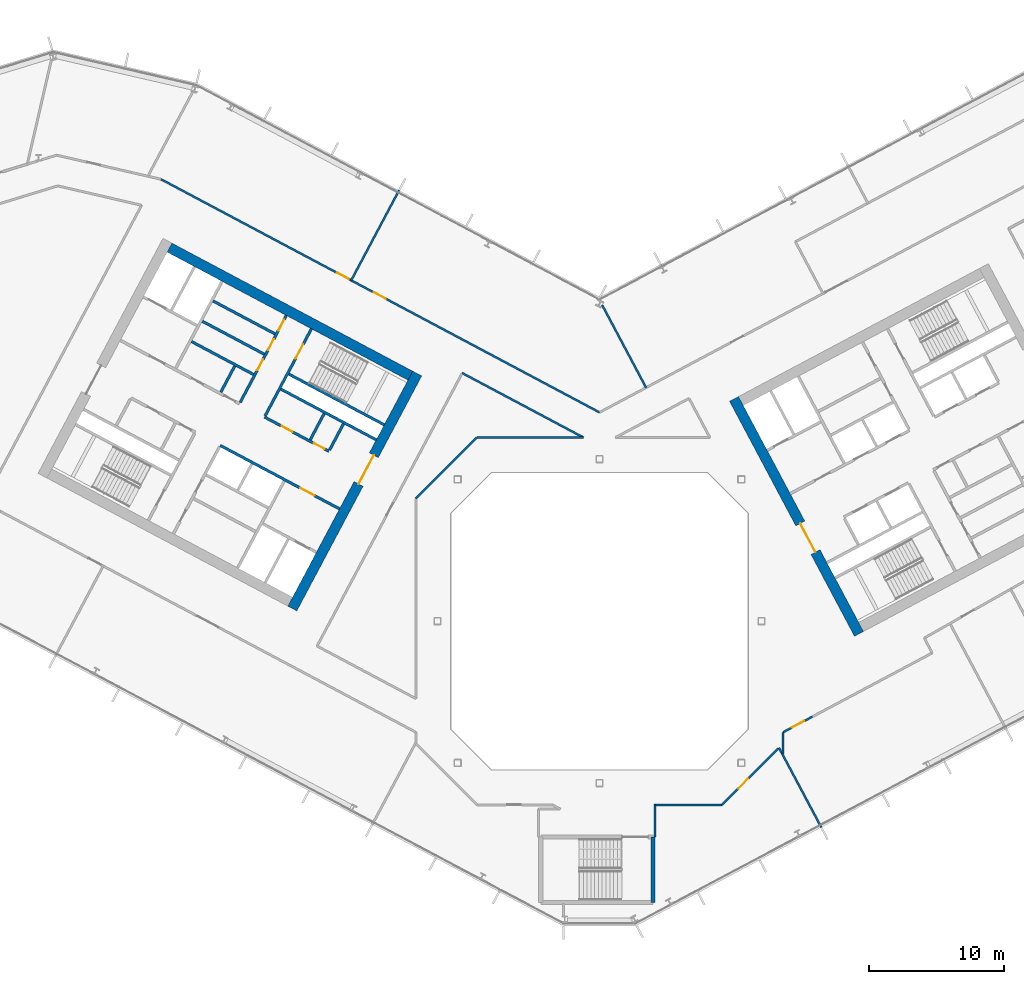
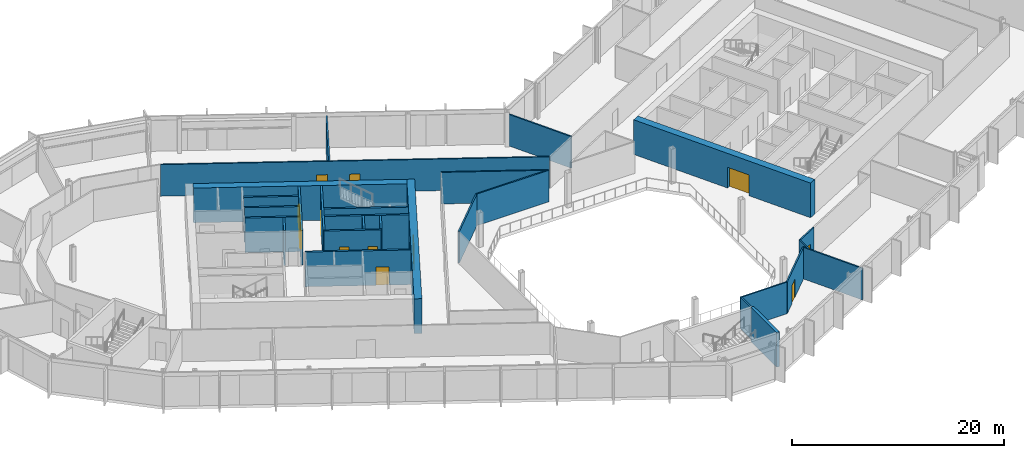
# One storey, part 15 of 28: 28 walls, 13 doors, 13 openings.
"""IFC4 building model written with IfcOpenShell, lengths in metres."""

from ifc_helpers import new_model, si_unit, direction, frame, frame_2d, origin, place, context, subcontext, project, spatial, rectangle, extrude, material, layer, layer_set, type_object, element, fill, save


model = new_model("IFC4")

# Units and contexts
model_context = context("Model", 3, precision=1e-05, world=origin(), true_north=direction((0.0, 1.0)))
body_context = subcontext(model_context, "Body", "Model", "MODEL_VIEW")
ifc_project = project(units=[si_unit("LENGTHUNIT", "METRE"), si_unit("AREAUNIT", "SQUARE_METRE"), si_unit("VOLUMEUNIT", "CUBIC_METRE"), si_unit("PLANEANGLEUNIT", "RADIAN"), si_unit("MASSUNIT", "GRAM", prefix="KILO")], contexts=[model_context])

# Site, building, storey
site_placement = place(None, origin())
site = spatial("IfcSite", under=ifc_project, at=site_placement, CompositionType="ELEMENT")
building_placement = place(site_placement, origin())
building = spatial("IfcBuilding", under=site, at=building_placement, Name="Cormorant Relay Tower", CompositionType="ELEMENT")
storey_placement = place(building_placement, frame((0.0, 0.0, 146.199951171875)))
storey = spatial("IfcBuildingStorey", under=building, at=storey_placement, Name="L30", CompositionType="ELEMENT", Elevation=146.199951171875)

# Walls
ifc_material_1 = material(Name="Concrete 40 MPa", Category="concrete")
ifc_layer_1 = layer(ifc_material_1, 0.199951171875)
ifc_layer_set_1 = layer_set([ifc_layer_1], Name="Core internal wall 200")
wall_type_1 = type_object("IfcWallType", Name="Core internal wall 200", PredefinedType="SOLIDWALL", material=ifc_layer_set_1)
for number, where, z_axis, x_axis, name in (
    (1, (-20.39013671875, 15.371826171875, 0.0), (0.0, 0.0, 1.0), (-0.4694473164, -0.882960484464, 0.0), "L30 core A shaft and room wall"),
    (2, (-27.01220703125, 18.892822265625, 0.0), (0.0, 0.0, 1.0), (-0.4694473164, -0.882960484464, 0.0), "L30 core A shaft and room wall"),
):
    element("IfcWall", number, at=place(storey_placement, frame(where, z_axis=z_axis, x_axis=x_axis)), inside=storey, type_object=wall_type_1, Name=name, PredefinedType="SOLIDWALL", context=body_context, shape_type="SweptSolid", body=[
        extrude(rectangle(XDim=2.199951171875, YDim=0.199951171875, at=frame_2d((1.10009765625, 0.0))), origin(), (0.0, 0.0, 1.0), 4.0),
    ])
for number, where, z_axis, x_axis, name in (
    (3, (-24.02685546875, 21.26953125, 0.0), (0.0, 0.0, 1.0), (-0.882934506056, 0.469496174655, 0.0), "L30 core A shaft and room wall"),
    (4, (-24.824951171875, 19.7685546875, 0.0), (0.0, 0.0, 1.0), (-0.882934506056, 0.469496174655, 0.0), "L30 core A shaft and room wall"),
):
    element("IfcWall", number, at=place(storey_placement, frame(where, z_axis=z_axis, x_axis=x_axis)), inside=storey, type_object=wall_type_1, Name=name, PredefinedType="SOLIDWALL", context=body_context, shape_type="SweptSolid", body=[
        extrude(rectangle(XDim=5.199951171875, YDim=0.199951171875, at=frame_2d((2.60009765625, 0.0))), origin(), (0.0, 0.0, 1.0), 4.0),
    ])
ifc_material_2 = material(Name="Concrete 50 MPa", Category="concrete")
ifc_layer_2 = layer(ifc_material_2, 0.199951171875)
ifc_layer_set_2 = layer_set([ifc_layer_2], Name="Core shaft wall 200")
wall_type_2 = type_object("IfcWallType", Name="Core shaft wall 200", PredefinedType="SHEAR", material=ifc_layer_set_2)
wall_1_placement = place(storey_placement, frame((-18.959716796875, 14.611328125, 0.0), z_axis=(0.0, 0.0, 1.0), x_axis=(-0.4694473164, -0.882960484464, 0.0)))
element("IfcWall", 5, at=wall_1_placement, inside=storey, type_object=wall_type_2, Name="L30 core A shaft wall", PredefinedType="SHEAR", context=body_context, shape_type="SweptSolid", body=[
    extrude(rectangle(XDim=2.199951171875, YDim=0.199951171875, at=frame_2d((1.10009765625, 0.0))), origin(), (0.0, 0.0, 1.0), 4.0),
])

# Wall, opening, door
wall_2_placement = place(storey_placement, frame((-21.333251953125, 21.6494140625, 0.0), z_axis=(0.0, 0.0, 1.0), x_axis=(-0.469494272526, -0.882935517501, 0.0)))
wall_2 = element("IfcWall", 6, at=wall_2_placement, inside=storey, type_object=wall_type_2, Name="L30 core A shaft wall", PredefinedType="SHEAR", context=body_context, shape_type="SweptSolid", body=[
    extrude(rectangle(XDim=7.2998046875, YDim=0.199951171875, at=frame_2d((3.64990234375, 0.0))), origin(), (0.0, 0.0, 1.0), 4.0),
])
opening_1_placement = place(wall_2_placement, frame((1.300048828125, 0.0, 0.0)))
opening_1 = element("IfcOpeningElement", 7, at=opening_1_placement, cuts=wall_2, Name="Opening CDB-034", PredefinedType="OPENING", context=body_context, shape_type="SweptSolid", body=[
    extrude(rectangle(XDim=1.199951171875, YDim=2.10009765625, at=frame_2d((0.60009765625, 1.050048828125))), frame((0.0, 0.10986328125, 0.0), z_axis=(0.0, -1.0, 0.0), x_axis=(1.0, 0.0, 0.0)), (0.0, 0.0, 1.0), 0.219970703125),
])
ifc_material_3 = material(Name="Steel fire door", Category="steel")
door_type_1 = type_object("IfcDoorType", Name="Core stair door 1200x2100", OperationType="SINGLE_SWING_LEFT", PredefinedType="DOOR", material=ifc_material_3)
door_1_placement = place(opening_1_placement, origin())
door_1 = element("IfcDoor", 8, at=door_1_placement, inside=storey, type_object=door_type_1, Name="Core stair door 1200x2100", OperationType="SINGLE_SWING_RIGHT", OverallHeight=2.10009765625, OverallWidth=1.199951171875, PredefinedType="DOOR", context=body_context, shape_type="SweptSolid", body=[
    extrude(rectangle(XDim=1.199951171875, YDim=2.10009765625, at=frame_2d((0.60009765625, 1.050048828125))), frame((0.0, 0.02490234375, 0.0), z_axis=(0.0, -1.0, 0.0), x_axis=(1.0, 0.0, 0.0)), (0.0, 0.0, 1.0), 0.050048828125),
])
fill(opening_1, door_1)

# Wall, openings, doors
wall_3_placement = place(storey_placement, frame((-23.1875, 22.635498046875, 0.0), z_axis=(0.0, 0.0, 1.0), x_axis=(-0.469454336211, -0.882956752176, 0.0)))
wall_3 = element("IfcWall", 9, at=wall_3_placement, inside=storey, type_object=wall_type_2, Name="L30 core A shaft wall", PredefinedType="SHEAR", context=body_context, shape_type="SweptSolid", body=[
    extrude(rectangle(XDim=7.300048828125, YDim=0.199951171875, at=frame_2d((3.64990234375, 0.0))), origin(), (0.0, 0.0, 1.0), 4.0),
])
opening_2_placement = place(wall_3_placement, frame((0.35009765625, 0.0, 0.0)))
opening_2 = element("IfcOpeningElement", 10, at=opening_2_placement, cuts=wall_3, Name="Opening CDD-198", PredefinedType="OPENING", context=body_context, shape_type="SweptSolid", body=[
    extrude(rectangle(XDim=0.89990234375, YDim=2.10009765625, at=frame_2d((0.449951171875, 1.050048828125))), frame((0.0, 0.10986328125, 0.0), z_axis=(0.0, -1.0, 0.0), x_axis=(1.0, 0.0, 0.0)), (0.0, 0.0, 1.0), 0.219970703125),
])
opening_3_placement = place(wall_3_placement, frame((2.0, 0.0, 0.0)))
opening_3 = element("IfcOpeningElement", 11, at=opening_3_placement, cuts=wall_3, Name="Opening CDD-199", PredefinedType="OPENING", context=body_context, shape_type="SweptSolid", body=[
    extrude(rectangle(XDim=0.89990234375, YDim=2.10009765625, at=frame_2d((0.449951171875, 1.050048828125))), frame((0.0, 0.10986328125, 0.0), z_axis=(0.0, -1.0, 0.0), x_axis=(1.0, 0.0, 0.0)), (0.0, 0.0, 1.0), 0.219970703125),
])
opening_4_placement = place(wall_3_placement, frame((3.699951171875, 0.0, 0.0)))
opening_4 = element("IfcOpeningElement", 12, at=opening_4_placement, cuts=wall_3, Name="Opening CDD-200", PredefinedType="OPENING", context=body_context, shape_type="SweptSolid", body=[
    extrude(rectangle(XDim=0.89990234375, YDim=2.10009765625, at=frame_2d((0.449951171875, 1.050048828125))), frame((0.0, 0.10986328125, 0.0), z_axis=(0.0, -1.0, 0.0), x_axis=(1.0, 0.0, 0.0)), (0.0, 0.0, 1.0), 0.219970703125),
])
ifc_material_4 = material(Name="Steel fire door", Category="steel")
door_type_2 = type_object("IfcDoorType", Name="Core room door 900x2100", OperationType="SINGLE_SWING_LEFT", PredefinedType="DOOR", material=ifc_material_4)
door_2_placement = place(opening_2_placement, origin())
door_2 = element("IfcDoor", 13, at=door_2_placement, inside=storey, type_object=door_type_2, Name="Core room door 900x2100", OperationType="SINGLE_SWING_LEFT", OverallHeight=2.10009765625, OverallWidth=0.89990234375, PredefinedType="DOOR", context=body_context, shape_type="SweptSolid", body=[
    extrude(rectangle(XDim=0.89990234375, YDim=2.10009765625, at=frame_2d((0.449951171875, 1.050048828125))), frame((0.0, 0.02490234375, 0.0), z_axis=(0.0, -1.0, 0.0), x_axis=(1.0, 0.0, 0.0)), (0.0, 0.0, 1.0), 0.050048828125),
])
fill(opening_2, door_2)
door_3_placement = place(opening_3_placement, origin())
door_3 = element("IfcDoor", 14, at=door_3_placement, inside=storey, type_object=door_type_2, Name="Core room door 900x2100", OperationType="SINGLE_SWING_LEFT", OverallHeight=2.10009765625, OverallWidth=0.89990234375, PredefinedType="DOOR", context=body_context, shape_type="SweptSolid", body=[
    extrude(rectangle(XDim=0.89990234375, YDim=2.10009765625, at=frame_2d((0.449951171875, 1.050048828125))), frame((0.0, 0.02490234375, 0.0), z_axis=(0.0, -1.0, 0.0), x_axis=(1.0, 0.0, 0.0)), (0.0, 0.0, 1.0), 0.050048828125),
])
fill(opening_3, door_3)
door_4_placement = place(opening_4_placement, origin())
door_4 = element("IfcDoor", 15, at=door_4_placement, inside=storey, type_object=door_type_2, Name="Core room door 900x2100", OperationType="SINGLE_SWING_LEFT", OverallHeight=2.10009765625, OverallWidth=0.89990234375, PredefinedType="DOOR", context=body_context, shape_type="SweptSolid", body=[
    extrude(rectangle(XDim=0.89990234375, YDim=2.10009765625, at=frame_2d((0.449951171875, 1.050048828125))), frame((0.0, 0.02490234375, 0.0), z_axis=(0.0, -1.0, 0.0), x_axis=(1.0, 0.0, 0.0)), (0.0, 0.0, 1.0), 0.050048828125),
])
fill(opening_4, door_4)

# Walls
wall_4_placement = place(storey_placement, frame((-15.94189453125, 14.53564453125, 0.0), z_axis=(0.0, 0.0, 1.0), x_axis=(-0.882946947542, 0.469472776449, 0.0)))
element("IfcWall", 16, at=wall_4_placement, inside=storey, type_object=wall_type_2, Name="L30 core A shaft wall", PredefinedType="SHEAR", context=body_context, shape_type="SweptSolid", body=[
    extrude(rectangle(XDim=8.000244140625, YDim=0.199951171875, at=frame_2d((4.0, 0.0))), origin(), (0.0, 0.0, 1.0), 4.0),
])
wall_5_placement = place(storey_placement, frame((-16.52880859375, 13.43212890625, 0.0), z_axis=(0.0, 0.0, 1.0), x_axis=(-0.88295287151, 0.469461634952, 0.0)))
element("IfcWall", 17, at=wall_5_placement, inside=storey, type_object=wall_type_2, Name="L30 core A shaft wall", PredefinedType="SHEAR", context=body_context, shape_type="SweptSolid", body=[
    extrude(rectangle(XDim=7.999755859375, YDim=0.199951171875, at=frame_2d((4.0, 0.0))), origin(), (0.0, 0.0, 1.0), 4.0),
])
wall_6_placement = place(storey_placement, frame((-25.623046875, 18.267578125, 0.0), z_axis=(0.0, 0.0, 1.0), x_axis=(-0.882953967957, 0.469459572775, 0.0)))
element("IfcWall", 18, at=wall_6_placement, inside=storey, type_object=wall_type_2, Name="L30 core A shaft wall", PredefinedType="SHEAR", context=body_context, shape_type="SweptSolid", body=[
    extrude(rectangle(XDim=5.199951171875, YDim=0.199951171875, at=frame_2d((2.60009765625, 0.0))), origin(), (0.0, 0.0, 1.0), 4.0),
])

# Wall, openings, doors
wall_7_placement = place(storey_placement, frame((-20.03955078125, 12.58056640625, 0.0), z_axis=(0.0, 0.0, 1.0), x_axis=(-0.882942972946, 0.469480251476, 0.0)))
wall_7 = element("IfcWall", 19, at=wall_7_placement, inside=storey, type_object=wall_type_2, Name="L30 core A shaft wall", PredefinedType="SHEAR", context=body_context, shape_type="SweptSolid", body=[
    extrude(rectangle(XDim=5.39990234375, YDim=0.199951171875, at=frame_2d((2.699951171875, 0.0))), origin(), (0.0, 0.0, 1.0), 4.0),
])
opening_5_placement = place(wall_7_placement, frame((0.360107421875, 0.0, 0.0)))
opening_5 = element("IfcOpeningElement", 20, at=opening_5_placement, cuts=wall_7, Name="Opening CDD-168", PredefinedType="OPENING", context=body_context, shape_type="SweptSolid", body=[
    extrude(rectangle(XDim=0.89990234375, YDim=2.10009765625, at=frame_2d((0.449951171875, 1.050048828125))), frame((0.0, 0.10986328125, 0.0), z_axis=(0.0, -1.0, 0.0), x_axis=(1.0, 0.0, 0.0)), (0.0, 0.0, 1.0), 0.219970703125),
])
opening_6_placement = place(wall_7_placement, frame((3.06005859375, 0.0, 0.0)))
opening_6 = element("IfcOpeningElement", 21, at=opening_6_placement, cuts=wall_7, Name="Opening CDD-169", PredefinedType="OPENING", context=body_context, shape_type="SweptSolid", body=[
    extrude(rectangle(XDim=0.89990234375, YDim=2.10009765625, at=frame_2d((0.449951171875, 1.050048828125))), frame((0.0, 0.10986328125, 0.0), z_axis=(0.0, -1.0, 0.0), x_axis=(1.0, 0.0, 0.0)), (0.0, 0.0, 1.0), 0.219970703125),
])
door_5_placement = place(opening_5_placement, origin())
door_5 = element("IfcDoor", 22, at=door_5_placement, inside=storey, type_object=door_type_2, Name="Core room door 900x2100", OperationType="SINGLE_SWING_LEFT", OverallHeight=2.10009765625, OverallWidth=0.89990234375, PredefinedType="DOOR", context=body_context, shape_type="SweptSolid", body=[
    extrude(rectangle(XDim=0.89990234375, YDim=2.10009765625, at=frame_2d((0.449951171875, 1.050048828125))), frame((0.0, 0.02490234375, 0.0), z_axis=(0.0, -1.0, 0.0), x_axis=(1.0, 0.0, 0.0)), (0.0, 0.0, 1.0), 0.050048828125),
])
fill(opening_5, door_5)
door_6_placement = place(opening_6_placement, origin())
door_6 = element("IfcDoor", 23, at=door_6_placement, inside=storey, type_object=door_type_2, Name="Core room door 900x2100", OperationType="SINGLE_SWING_LEFT", OverallHeight=2.10009765625, OverallWidth=0.89990234375, PredefinedType="DOOR", context=body_context, shape_type="SweptSolid", body=[
    extrude(rectangle(XDim=0.89990234375, YDim=2.10009765625, at=frame_2d((0.449951171875, 1.050048828125))), frame((0.0, 0.02490234375, 0.0), z_axis=(0.0, -1.0, 0.0), x_axis=(1.0, 0.0, 0.0)), (0.0, 0.0, 1.0), 0.050048828125),
])
fill(opening_6, door_6)

# Wall, opening, door
wall_8_placement = place(storey_placement, frame((-19.251708984375, 8.31103515625, 0.0), z_axis=(0.0, 0.0, 1.0), x_axis=(-0.882955722218, 0.469456273365, 0.0)))
wall_8 = element("IfcWall", 24, at=wall_8_placement, inside=storey, type_object=wall_type_2, Name="L30 core A shaft wall", PredefinedType="SHEAR", context=body_context, shape_type="SweptSolid", body=[
    extrude(rectangle(XDim=10.0, YDim=0.199951171875, at=frame_2d((5.0, 0.0))), origin(), (0.0, 0.0, 1.0), 4.0),
])
opening_7_placement = place(wall_8_placement, frame((2.10009765625, 0.0, 0.0)))
opening_7 = element("IfcOpeningElement", 25, at=opening_7_placement, cuts=wall_8, Name="Opening CDC-025", PredefinedType="OPENING", context=body_context, shape_type="SweptSolid", body=[
    extrude(rectangle(XDim=1.199951171875, YDim=2.10009765625, at=frame_2d((0.60009765625, 1.050048828125))), frame((0.0, 0.10986328125, 0.0), z_axis=(0.0, -1.0, 0.0), x_axis=(1.0, 0.0, 0.0)), (0.0, 0.0, 1.0), 0.219970703125),
])
ifc_material_5 = material(Name="Steel fire door", Category="steel")
door_type_3 = type_object("IfcDoorType", Name="Core lobby door 1200x2100", OperationType="SINGLE_SWING_LEFT", PredefinedType="DOOR", material=ifc_material_5)
door_7_placement = place(opening_7_placement, origin())
door_7 = element("IfcDoor", 26, at=door_7_placement, inside=storey, type_object=door_type_3, Name="Core lobby door 1200x2100", OperationType="SINGLE_SWING_RIGHT", OverallHeight=2.10009765625, OverallWidth=1.199951171875, PredefinedType="DOOR", context=body_context, shape_type="SweptSolid", body=[
    extrude(rectangle(XDim=1.199951171875, YDim=2.10009765625, at=frame_2d((0.60009765625, 1.050048828125))), frame((0.0, 0.02490234375, 0.0), z_axis=(0.0, -1.0, 0.0), x_axis=(1.0, 0.0, 0.0)), (0.0, 0.0, 1.0), 0.050048828125),
])
fill(opening_7, door_7)

ifc_material_6 = material(Name="Concrete 60 MPa", Category="concrete")
ifc_layer_3 = layer(ifc_material_6, 0.75)
ifc_layer_set_3 = layer_set([ifc_layer_3], Name="Core wall 750")
wall_type_3 = type_object("IfcWallType", Name="Core wall 750", PredefinedType="SHEAR", material=ifc_layer_set_3)
wall_9_placement = place(storey_placement, frame((-13.498291015625, 18.3330078125, 0.0), z_axis=(0.0, 0.0, 1.0), x_axis=(-0.469469918705, -0.88294846703, 0.0)))
wall_9 = element("IfcWall", 27, at=wall_9_placement, inside=storey, type_object=wall_type_3, Name="L30 core A wall", PredefinedType="SHEAR", context=body_context, shape_type="SweptSolid", body=[
    extrude(rectangle(XDim=19.699951171875, YDim=0.75, at=frame_2d((9.85009765625, 0.0))), origin(), (0.0, 0.0, 1.0), 4.0),
])
opening_8_placement = place(wall_9_placement, frame((6.85009765625, 0.0, 0.0)))
opening_8 = element("IfcOpeningElement", 28, at=opening_8_placement, cuts=wall_9, Name="Opening CDA-026", PredefinedType="OPENING", context=body_context, shape_type="SweptSolid", body=[
    extrude(rectangle(XDim=2.39990234375, YDim=2.39990234375, at=frame_2d((1.199951171875, 1.199951171875))), frame((0.0, 0.385009765625, 0.0), z_axis=(0.0, -1.0, 0.0), x_axis=(1.0, 0.0, 0.0)), (0.0, 0.0, 1.0), 0.77001953125),
])
ifc_material_7 = material(Name="Steel fire door", Category="steel")
door_type_4 = type_object("IfcDoorType", Name="Core lobby door 2400x2400", OperationType="DOUBLE_DOOR_SINGLE_SWING", PredefinedType="DOOR", material=ifc_material_7)
door_8_placement = place(opening_8_placement, origin())
door_8 = element("IfcDoor", 29, at=door_8_placement, inside=storey, type_object=door_type_4, Name="Core lobby door 2400x2400", OperationType="DOUBLE_DOOR_SINGLE_SWING", OverallHeight=2.39990234375, OverallWidth=2.39990234375, PredefinedType="DOOR", context=body_context, shape_type="SweptSolid", body=[
    extrude(rectangle(XDim=2.39990234375, YDim=2.39990234375, at=frame_2d((1.199951171875, 1.199951171875))), frame((0.0, 0.02490234375, 0.0), z_axis=(0.0, -1.0, 0.0), x_axis=(1.0, 0.0, 0.0)), (0.0, 0.0, 1.0), 0.050048828125),
])
fill(opening_8, door_8)

# Wall
wall_10_placement = place(storey_placement, frame((-14.00537109375, 18.177978515625, 0.0), z_axis=(0.0, 0.0, 1.0), x_axis=(-0.88295010195, 0.469466843842, 0.0)))
element("IfcWall", 30, at=wall_10_placement, inside=storey, type_object=wall_type_3, Name="L30 core A wall", PredefinedType="SHEAR", context=body_context, shape_type="SweptSolid", body=[
    extrude(rectangle(XDim=20.199951171875, YDim=0.75, at=frame_2d((10.10009765625, 0.0))), origin(), (0.0, 0.0, 1.0), 4.0),
])

# Wall, opening, door
wall_11_placement = place(storey_placement, frame((19.215087890625, -0.93896484375, 0.0), z_axis=(0.0, 0.0, 1.0), x_axis=(-0.469479580143, 0.882943329908, 0.0)))
wall_11 = element("IfcWall", 31, at=wall_11_placement, inside=storey, type_object=wall_type_3, Name="L30 core B wall", PredefinedType="SHEAR", context=body_context, shape_type="SweptSolid", body=[
    extrude(rectangle(XDim=19.699951171875, YDim=0.75, at=frame_2d((9.85009765625, 0.0))), origin(), (0.0, 0.0, 1.0), 4.0),
])
opening_9_placement = place(wall_11_placement, frame((6.85009765625, 0.0, 0.0)))
opening_9 = element("IfcOpeningElement", 32, at=opening_9_placement, cuts=wall_11, Name="Opening CDA-028", PredefinedType="OPENING", context=body_context, shape_type="SweptSolid", body=[
    extrude(rectangle(XDim=2.39990234375, YDim=2.39990234375, at=frame_2d((1.199951171875, 1.199951171875))), frame((0.0, 0.385009765625, 0.0), z_axis=(0.0, -1.0, 0.0), x_axis=(1.0, 0.0, 0.0)), (0.0, 0.0, 1.0), 0.77001953125),
])
door_9_placement = place(opening_9_placement, frame((2.39990234375, 0.0, 0.0), z_axis=(0.0, 0.0, 1.0), x_axis=(-1.0, 0.0, 0.0)))
door_9 = element("IfcDoor", 33, at=door_9_placement, inside=storey, type_object=door_type_4, Name="Core lobby door 2400x2400", OperationType="DOUBLE_DOOR_SINGLE_SWING", OverallHeight=2.39990234375, OverallWidth=2.39990234375, PredefinedType="DOOR", context=body_context, shape_type="SweptSolid", body=[
    extrude(rectangle(XDim=2.39990234375, YDim=2.39990234375, at=frame_2d((1.199951171875, 1.199951171875))), frame((0.0, 0.02490234375, 0.0), z_axis=(0.0, -1.0, 0.0), x_axis=(1.0, 0.0, 0.0)), (0.0, 0.0, 1.0), 0.050048828125),
])
fill(opening_9, door_9)

# Wall, openings, doors
ifc_material_8 = material(Name="Gypsum board fire partition")
ifc_layer_4 = layer(ifc_material_8, 0.14990234375)
ifc_layer_set_4 = layer_set([ifc_layer_4], Name="Corridor partition 150 EI 60")
wall_type_4 = type_object("IfcWallType", Name="Corridor partition 150 EI 60", PredefinedType="PARTITIONING", material=ifc_layer_set_4)
wall_12_placement = place(storey_placement, frame((-32.469970703125, 32.72412109375, 0.0), z_axis=(0.0, 0.0, 1.0), x_axis=(0.88295243426, -0.469462457321, 0.0)))
wall_12 = element("IfcWall", 34, at=wall_12_placement, inside=storey, type_object=wall_type_4, Name="wall/L30/part/032", PredefinedType="PARTITIONING", context=body_context, shape_type="SweptSolid", body=[
    extrude(rectangle(XDim=36.7744140625, YDim=0.14990234375, at=frame_2d((18.38720703125, 0.0))), origin(), (0.0, 0.0, 1.0), 3.64013671875),
])
opening_10_placement = place(wall_12_placement, frame((17.85009765625, 0.0, 0.0)))
opening_10 = element("IfcOpeningElement", 35, at=opening_10_placement, cuts=wall_12, Name="Opening DS-040", PredefinedType="OPENING", context=body_context, shape_type="SweptSolid", body=[
    extrude(rectangle(XDim=1.0, YDim=2.10009765625, at=frame_2d((0.5, 1.050048828125))), frame((0.0, 0.0849609375, 0.0), z_axis=(0.0, -1.0, 0.0), x_axis=(1.0, 0.0, 0.0)), (0.0, 0.0, 1.0), 0.169921875),
])
opening_11_placement = place(wall_12_placement, frame((14.75, 0.0, 0.0)))
opening_11 = element("IfcOpeningElement", 36, at=opening_11_placement, cuts=wall_12, Name="Opening DS-041", PredefinedType="OPENING", context=body_context, shape_type="SweptSolid", body=[
    extrude(rectangle(XDim=1.0, YDim=2.10009765625, at=frame_2d((0.5, 1.050048828125))), frame((0.0, 0.0849609375, 0.0), z_axis=(0.0, -1.0, 0.0), x_axis=(1.0, 0.0, 0.0)), (0.0, 0.0, 1.0), 0.169921875),
])
ifc_material_9 = material(Name="Timber door leaf", Category="wood")
door_type_5 = type_object("IfcDoorType", Name="Suite door 1000x2100", OperationType="SINGLE_SWING_LEFT", PredefinedType="DOOR", material=ifc_material_9)
door_10_placement = place(opening_10_placement, origin())
door_10 = element("IfcDoor", 37, at=door_10_placement, inside=storey, type_object=door_type_5, Name="door/L30/009", OperationType="SINGLE_SWING_RIGHT", OverallHeight=2.10009765625, OverallWidth=1.0, PredefinedType="DOOR", context=body_context, shape_type="SweptSolid", body=[
    extrude(rectangle(XDim=1.0, YDim=2.10009765625, at=frame_2d((0.5, 1.050048828125))), frame((0.0, 0.02490234375, 0.0), z_axis=(0.0, -1.0, 0.0), x_axis=(1.0, 0.0, 0.0)), (0.0, 0.0, 1.0), 0.050048828125),
])
fill(opening_10, door_10)
door_11_placement = place(opening_11_placement, origin())
door_11 = element("IfcDoor", 38, at=door_11_placement, inside=storey, type_object=door_type_5, Name="door/L30/010", OperationType="SINGLE_SWING_RIGHT", OverallHeight=2.10009765625, OverallWidth=1.0, PredefinedType="DOOR", context=body_context, shape_type="SweptSolid", body=[
    extrude(rectangle(XDim=1.0, YDim=2.10009765625, at=frame_2d((0.5, 1.050048828125))), frame((0.0, 0.02490234375, 0.0), z_axis=(0.0, -1.0, 0.0), x_axis=(1.0, 0.0, 0.0)), (0.0, 0.0, 1.0), 0.050048828125),
])
fill(opening_11, door_11)

# Wall, opening, door
wall_13_placement = place(storey_placement, frame((13.23291015625, -9.444091796875, 0.0), z_axis=(0.0, 0.0, 1.0), x_axis=(-0.707106781187, -0.707106781187, 0.0)))
wall_13 = element("IfcWall", 39, at=wall_13_placement, inside=storey, type_object=wall_type_4, Name="wall/L30/part/044", PredefinedType="PARTITIONING", context=body_context, shape_type="SweptSolid", body=[
    extrude(rectangle(XDim=5.87744140625, YDim=0.14990234375, at=frame_2d((2.938720703125, 0.0))), origin(), (0.0, 0.0, 1.0), 3.64013671875),
])
opening_12_placement = place(wall_13_placement, frame((3.14990234375, 0.0, 0.0)))
opening_12 = element("IfcOpeningElement", 40, at=opening_12_placement, cuts=wall_13, Name="Opening DS-036", PredefinedType="OPENING", context=body_context, shape_type="SweptSolid", body=[
    extrude(rectangle(XDim=1.0, YDim=2.10009765625, at=frame_2d((0.5, 1.050048828125))), frame((0.0, 0.0849609375, 0.0), z_axis=(0.0, -1.0, 0.0), x_axis=(1.0, 0.0, 0.0)), (0.0, 0.0, 1.0), 0.169921875),
])
door_12_placement = place(opening_12_placement, origin())
door_12 = element("IfcDoor", 41, at=door_12_placement, inside=storey, type_object=door_type_5, Name="door/L30/003", OperationType="SINGLE_SWING_LEFT", OverallHeight=2.10009765625, OverallWidth=1.0, PredefinedType="DOOR", context=body_context, shape_type="SweptSolid", body=[
    extrude(rectangle(XDim=1.0, YDim=2.10009765625, at=frame_2d((0.5, 1.050048828125))), frame((0.0, 0.02490234375, 0.0), z_axis=(0.0, -1.0, 0.0), x_axis=(1.0, 0.0, 0.0)), (0.0, 0.0, 1.0), 0.050048828125),
])
fill(opening_12, door_12)

# Walls
wall_14_placement = place(storey_placement, frame((9.076904296875, -13.60009765625, 0.0), z_axis=(0.0, 0.0, 1.0), x_axis=(-1.0, 0.0, 0.0)))
element("IfcWall", 42, at=wall_14_placement, inside=storey, type_object=wall_type_4, Name="wall/L30/part/045", PredefinedType="PARTITIONING", context=body_context, shape_type="SweptSolid", body=[
    extrude(rectangle(XDim=5.051025390625, YDim=0.14990234375, at=frame_2d((2.525390625, 0.0))), origin(), (0.0, 0.0, 1.0), 3.64013671875),
])
wall_15_placement = place(storey_placement, frame((4.10009765625, -15.97509765625, 0.0), z_axis=(0.0, 0.0, 1.0), x_axis=(0.0, 1.0, 0.0)))
element("IfcWall", 43, at=wall_15_placement, inside=storey, type_object=wall_type_4, Name="wall/L30/part/046", PredefinedType="PARTITIONING", context=body_context, shape_type="SweptSolid", body=[
    extrude(rectangle(XDim=2.35009765625, YDim=0.14990234375, at=frame_2d((1.175048828125, 0.0))), origin(), (0.0, 0.0, 1.0), 3.64013671875),
])
wall_16_placement = place(storey_placement, frame((13.60009765625, -8.2509765625, 0.0), z_axis=(0.0, 0.0, 1.0), x_axis=(0.0, -1.0, 0.0)))
element("IfcWall", 44, at=wall_16_placement, inside=storey, type_object=wall_type_4, Name="wall/L30/part/048", PredefinedType="PARTITIONING", context=body_context, shape_type="SweptSolid", body=[
    extrude(rectangle(XDim=1.594970703125, YDim=0.14990234375, at=frame_2d((0.79736328125, 0.0))), origin(), (0.0, 0.0, 1.0), 3.64013671875),
])

# Wall, opening, door
wall_17_placement = place(storey_placement, frame((13.60009765625, -8.22802734375, 0.0), z_axis=(0.0, 0.0, 1.0), x_axis=(0.882966268345, 0.46943643762, 0.0)))
wall_17 = element("IfcWall", 45, at=wall_17_placement, inside=storey, type_object=wall_type_4, Name="wall/L30/part/049", PredefinedType="PARTITIONING", context=body_context, shape_type="SweptSolid", body=[
    extrude(rectangle(XDim=2.4541015625, YDim=0.14990234375, at=frame_2d((1.22705078125, 0.0))), origin(), (0.0, 0.0, 1.0), 3.64013671875),
])
opening_13_placement = place(wall_17_placement, frame((0.75, 0.0, 0.0)))
opening_13 = element("IfcOpeningElement", 46, at=opening_13_placement, cuts=wall_17, Name="Opening DS-037", PredefinedType="OPENING", context=body_context, shape_type="SweptSolid", body=[
    extrude(rectangle(XDim=1.0, YDim=2.10009765625, at=frame_2d((0.5, 1.050048828125))), frame((0.0, 0.0849609375, 0.0), z_axis=(0.0, -1.0, 0.0), x_axis=(1.0, 0.0, 0.0)), (0.0, 0.0, 1.0), 0.169921875),
])
door_13_placement = place(opening_13_placement, frame((1.0, 0.0, 0.0), z_axis=(0.0, 0.0, 1.0), x_axis=(-1.0, 0.0, 0.0)))
door_13 = element("IfcDoor", 47, at=door_13_placement, inside=storey, type_object=door_type_5, Name="door/L30/004", OperationType="SINGLE_SWING_RIGHT", OverallHeight=2.10009765625, OverallWidth=1.0, PredefinedType="DOOR", context=body_context, shape_type="SweptSolid", body=[
    extrude(rectangle(XDim=1.0, YDim=2.10009765625, at=frame_2d((0.5, 1.050048828125))), frame((0.0, 0.02490234375, 0.0), z_axis=(0.0, -1.0, 0.0), x_axis=(1.0, 0.0, 0.0)), (0.0, 0.0, 1.0), 0.050048828125),
])
fill(opening_13, door_13)

# Walls
wall_18_placement = place(storey_placement, frame((-10.1640625, 18.3720703125, 0.0), z_axis=(0.0, 0.0, 1.0), x_axis=(0.882954583112, -0.469458415796, 0.0)))
element("IfcWall", 48, at=wall_18_placement, inside=storey, type_object=wall_type_4, Name="wall/L30/part/070", PredefinedType="PARTITIONING", context=body_context, shape_type="SweptSolid", body=[
    extrude(rectangle(XDim=10.164794921875, YDim=0.14990234375, at=frame_2d((5.08251953125, 0.0))), origin(), (0.0, 0.0, 1.0), 3.64013671875),
])
wall_19_placement = place(storey_placement, frame((-1.18896484375, 13.60009765625, 0.0), z_axis=(0.0, 0.0, 1.0), x_axis=(-1.0, 0.0, 0.0)))
element("IfcWall", 49, at=wall_19_placement, inside=storey, type_object=wall_type_4, Name="wall/L30/part/071", PredefinedType="PARTITIONING", context=body_context, shape_type="SweptSolid", body=[
    extrude(rectangle(XDim=7.887939453125, YDim=0.14990234375, at=frame_2d((3.94384765625, 0.0))), origin(), (0.0, 0.0, 1.0), 3.64013671875),
])
wall_20_placement = place(storey_placement, frame((-9.076904296875, 13.60009765625, 0.0), z_axis=(0.0, 0.0, 1.0), x_axis=(-0.707106781187, -0.707106781187, 0.0)))
element("IfcWall", 50, at=wall_20_placement, inside=storey, type_object=wall_type_4, Name="wall/L30/part/072", PredefinedType="PARTITIONING", context=body_context, shape_type="SweptSolid", body=[
    extrude(rectangle(XDim=6.396728515625, YDim=0.14990234375, at=frame_2d((3.1982421875, 0.0))), origin(), (0.0, 0.0, 1.0), 3.64013671875),
])
ifc_material_10 = material(Name="Concrete 50 MPa", Category="concrete")
ifc_layer_5 = layer(ifc_material_10, 0.300048828125)
ifc_layer_set_5 = layer_set([ifc_layer_5], Name="Remote stair wall 300")
wall_type_5 = type_object("IfcWallType", Name="Remote stair wall 300", PredefinedType="SHEAR", material=ifc_layer_set_5)
wall_21_placement = place(storey_placement, frame((3.949951171875, -15.97509765625, 0.0), z_axis=(0.0, 0.0, 1.0), x_axis=(0.0, -1.0, 0.0)))
element("IfcWall", 51, at=wall_21_placement, inside=storey, type_object=wall_type_5, Name="L30 exit stair RK1 wall", PredefinedType="SHEAR", context=body_context, shape_type="SweptSolid", body=[
    extrude(rectangle(XDim=4.849853515625, YDim=0.300048828125, at=frame_2d((2.4248046875, 0.0))), origin(), (0.0, 0.0, 1.0), 4.0),
])
ifc_material_11 = material(Name="Gypsum board partition")
ifc_layer_6 = layer(ifc_material_11, 0.14990234375)
ifc_layer_set_6 = layer_set([ifc_layer_6], Name="Tenant partition 150")
wall_type_6 = type_object("IfcWallType", Name="Tenant partition 150", PredefinedType="PARTITIONING", material=ifc_layer_set_6)
wall_22_placement = place(storey_placement, frame((-14.843994140625, 31.903076171875, 0.0), z_axis=(0.0, 0.0, 1.0), x_axis=(-0.469271860983, -0.883053747226, 0.0)))
element("IfcWall", 52, at=wall_22_placement, inside=storey, type_object=wall_type_6, Name="wall/L30/part/034", PredefinedType="PARTITIONING", context=body_context, shape_type="SweptSolid", body=[
    extrude(rectangle(XDim=7.550048828125, YDim=0.14990234375, at=frame_2d((3.77490234375, 0.0))), origin(), (0.0, 0.0, 1.0), 3.64013671875),
])
wall_23_placement = place(storey_placement, frame((0.19091796875, 23.422119140625, 0.0), z_axis=(0.0, 0.0, 1.0), x_axis=(0.46954180368, -0.882910241529, 0.0)))
element("IfcWall", 53, at=wall_23_placement, inside=storey, type_object=wall_type_6, Name="wall/L30/part/037", PredefinedType="PARTITIONING", context=body_context, shape_type="SweptSolid", body=[
    extrude(rectangle(XDim=6.94091796875, YDim=0.14990234375, at=frame_2d((3.470458984375, 0.0))), origin(), (0.0, 0.0, 1.0), 3.64013671875),
])
wall_24_placement = place(storey_placement, frame((13.294921875, -9.382080078125, 0.0), z_axis=(0.0, 0.0, 1.0), x_axis=(0.469560801687, -0.882900137908, 0.0)))
element("IfcWall", 54, at=wall_24_placement, inside=storey, type_object=wall_type_6, Name="wall/L30/part/047", PredefinedType="PARTITIONING", context=body_context, shape_type="SweptSolid", body=[
    extrude(rectangle(XDim=6.67431640625, YDim=0.14990234375, at=frame_2d((3.337158203125, 0.0))), origin(), (0.0, 0.0, 1.0), 3.64013671875),
])

save(model, "model.ifc")
